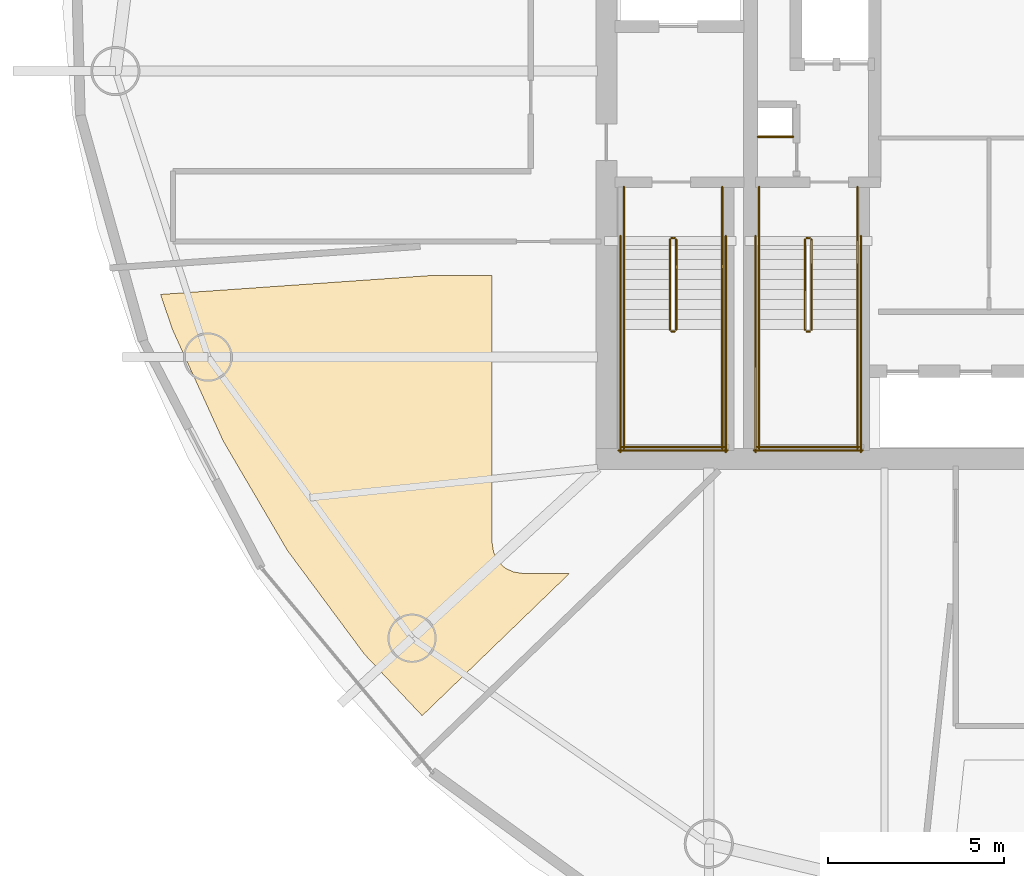
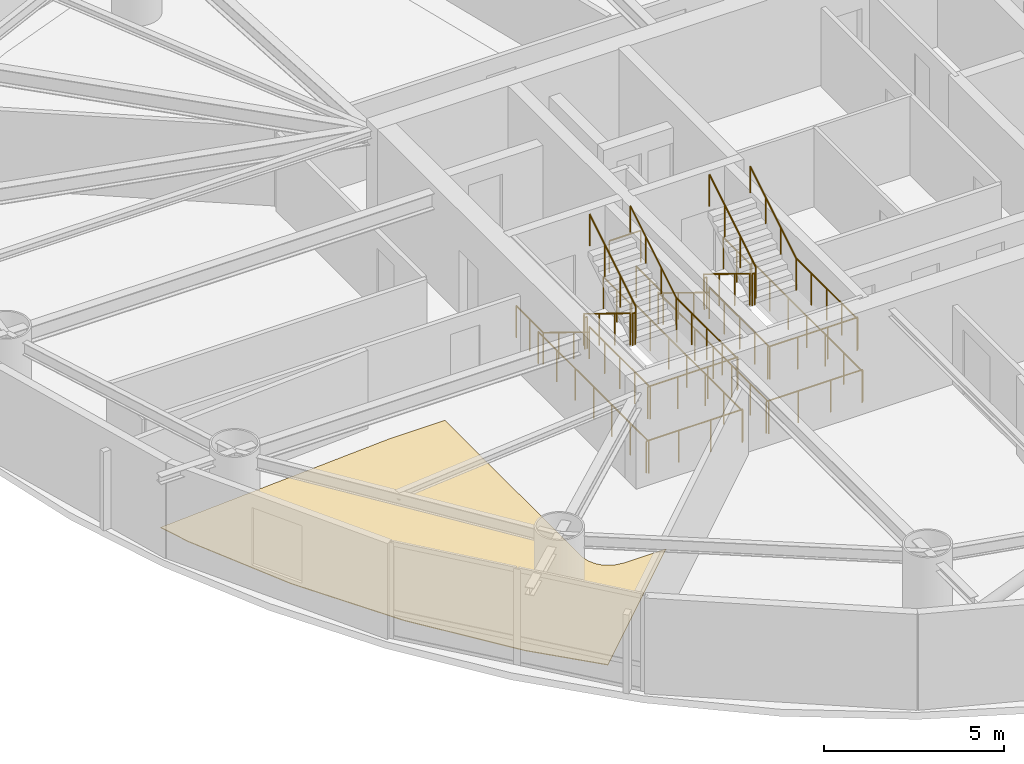
# One storey, part 18 of 20: 29 railings, 1 covering.
"""IFC4 building model written with IfcOpenShell, lengths in metres."""

import ifcopenshell
import ifcopenshell.guid

model = None  # the IFC model being written
_history = None  # IfcOwnerHistory: only IFC2X3 demands one
_inside = {}  # id of a spatial element -> (the spatial element, [elements in it])
_under = {}  # id of a project, library or spatial element -> (it, [spatial elements below it])
_declared = {}  # id of a project -> (the project, [libraries it declares])
_typed = {}  # id of a type object -> (the type object, [elements of that type])
_made_of = {}  # id of a material, layer set ... -> (it, [elements and type objects made of it])


def new_model(schema):
    """Start an empty IFC model of exactly this schema.

    Asked for "IFC4X3", IfcOpenShell would pick the latest addendum, in which some entities
    have other attributes; the version numbers below select the first issue.
    IFC2X3 requires an IfcOwnerHistory on every rooted entity: one is made here for all.
    """
    global model, _history
    if schema == "IFC4X3":
        model = ifcopenshell.file(schema_version=(4, 3, 0, 0))
    else:
        model = ifcopenshell.file(schema=schema)
    _inside.clear()
    _under.clear()
    _declared.clear()
    _typed.clear()
    _made_of.clear()
    _history = None
    if model.schema == "IFC2X3":
        org = make("IfcOrganization", Name="unknown")
        user = make(
            "IfcPersonAndOrganization",
            ThePerson=make("IfcPerson", FamilyName="unknown"),
            TheOrganization=org,
        )
        app = make(
            "IfcApplication",
            ApplicationDeveloper=org,
            Version="unknown",
            ApplicationFullName="unknown",
            ApplicationIdentifier="unknown",
        )
        _history = make(
            "IfcOwnerHistory",
            OwningUser=user,
            OwningApplication=app,
            ChangeAction="ADDED",
            CreationDate=0,
        )
    return model


def make(cls, **values):
    """One entity of the class cls with the attributes given. An attribute that is None is left unset."""
    return model.create_entity(
        cls, **{name: value for name, value in values.items() if value is not None}
    )


def rooted(cls, **values):
    """An entity with a GlobalId (a new one), such as an element, a storey or a relation."""
    return make(cls, GlobalId=ifcopenshell.guid.new(), OwnerHistory=_history, **values)


def si_unit(unit_type, name, prefix=None):
    """IfcSIUnit, for example si_unit("LENGTHUNIT", "METRE", prefix="MILLI")."""
    return make("IfcSIUnit", UnitType=unit_type, Prefix=prefix, Name=name)


def assignment(units):
    """IfcUnitAssignment: the units of a project."""
    return None if units is None else make("IfcUnitAssignment", Units=units)


def point(xyz):
    """IfcCartesianPoint."""
    return None if xyz is None else make("IfcCartesianPoint", Coordinates=xyz)


def direction(xyz):
    """IfcDirection."""
    return None if xyz is None else make("IfcDirection", DirectionRatios=xyz)


def frame(location, z_axis=None, x_axis=None):
    """IfcAxis2Placement3D, a coordinate frame: its origin and axes. An axis left out is left unset."""
    return make(
        "IfcAxis2Placement3D",
        Location=point(location),
        Axis=direction(z_axis),
        RefDirection=direction(x_axis),
    )


def frame_2d(location, x_axis=None):
    """IfcAxis2Placement2D, a coordinate frame in the plane: its origin and x axis."""
    return make(
        "IfcAxis2Placement2D", Location=point(location), RefDirection=direction(x_axis)
    )


def origin():
    """The frame at (0, 0, 0) with its axes left unset."""
    return frame((0.0, 0.0, 0.0))


def origin_2d():
    """The frame at (0, 0) in the plane with its x axis left unset."""
    return frame_2d((0.0, 0.0))


def place(relative_to, where):
    """IfcLocalPlacement: puts the frame where relative to a parent placement (None: the world)."""
    return make(
        "IfcLocalPlacement", PlacementRelTo=relative_to, RelativePlacement=where
    )


def context(
    kind, dimensions, precision=None, world=None, true_north=None, identifier=None
):
    """IfcGeometricRepresentationContext, for example the 3D "Model" context."""
    return make(
        "IfcGeometricRepresentationContext",
        ContextIdentifier=identifier,
        ContextType=kind,
        CoordinateSpaceDimension=dimensions,
        Precision=precision,
        WorldCoordinateSystem=world,
        TrueNorth=true_north,
    )


def subcontext(parent, identifier, kind, view, scale=None):
    """IfcGeometricRepresentationSubContext, for example "Body" below "Model"."""
    return make(
        "IfcGeometricRepresentationSubContext",
        ContextIdentifier=identifier,
        ContextType=kind,
        ParentContext=parent,
        TargetScale=scale,
        TargetView=view,
    )


def project(units=None, contexts=None):
    """IfcProject with its units and contexts."""
    return rooted(
        "IfcProject",
        Name="project",
        RepresentationContexts=contexts,
        UnitsInContext=assignment(units),
    )


def spatial(cls, under=None, at=None, **own):
    """A site, building, storey or space (cls), placed at a placement, below another one or the project."""
    s = rooted(cls, ObjectPlacement=at, **own)
    if under is not None:
        _under.setdefault(under.id(), (under, []))[1].append(s)
    return s


def polyline(points):
    """IfcPolyline through the points."""
    return make("IfcPolyline", Points=[point(p) for p in points])


def profile(cls, at=None, kind="AREA", **sizes):
    """A parametric profile (cls). Its sizes go by their IFC names, for example OverallWidth=200.0."""
    return make(cls, ProfileType=kind, Position=at, **sizes)


def circle(**sizes):
    """IfcCircleProfileDef."""
    return profile("IfcCircleProfileDef", **sizes)


def outline(outer, holes=None, kind="AREA"):
    """IfcArbitraryClosedProfileDef: a profile drawn as a closed curve; with holes, ...WithVoids."""
    if holes is None:
        return make("IfcArbitraryClosedProfileDef", ProfileType=kind, OuterCurve=outer)
    return make(
        "IfcArbitraryProfileDefWithVoids",
        ProfileType=kind,
        OuterCurve=outer,
        InnerCurves=holes,
    )


def extrude(swept, where, along, depth):
    """IfcExtrudedAreaSolid: the profile swept, set in the frame where, extruded along a direction by depth."""
    return make(
        "IfcExtrudedAreaSolid",
        SweptArea=swept,
        Position=where,
        ExtrudedDirection=direction(along),
        Depth=depth,
    )


def shape(context_of_items, identifier, shape_type, items):
    """IfcShapeRepresentation: the items that make up one representation, for example the "Body"."""
    return make(
        "IfcShapeRepresentation",
        ContextOfItems=context_of_items,
        RepresentationIdentifier=identifier,
        RepresentationType=shape_type,
        Items=items,
    )


def material(Name=None, Category=None):
    """IfcMaterial."""
    return make("IfcMaterial", Name=Name, Category=Category)


def layer(
    of_material, thickness, ventilated=None, Name=None, Category=None, Priority=None
):
    """IfcMaterialLayer: one layer of a wall or slab, of a material (None: an air gap)."""
    return make(
        "IfcMaterialLayer",
        Material=of_material,
        LayerThickness=thickness,
        IsVentilated=ventilated,
        Name=Name,
        Category=Category,
        Priority=Priority,
    )


def layer_set(layers, Name=None):
    """IfcMaterialLayerSet."""
    return make("IfcMaterialLayerSet", MaterialLayers=layers, LayerSetName=Name)


def made_of(thing, what):
    """Note that an element or type object is made of a material, layer set ...; save() writes the relation."""
    if what is not None:
        _made_of.setdefault(what.id(), (what, []))[1].append(thing)
    return thing


def type_object(cls, material=None, **own):
    """A type object (cls), such as IfcWallType, which elements share."""
    return made_of(rooted(cls, **own), material)


def element(
    cls,
    number,
    at=None,
    inside=None,
    cuts=None,
    type_object=None,
    material=None,
    context=None,
    identifier="Body",
    shape_type=None,
    held_by="IfcProductDefinitionShape",
    body=None,
    shapes=None,
    **own,
):
    """One element of the class cls, such as IfcWall. Its Tag is "e" and its number.

    at: its placement. inside: the storey or other place that contains it. cuts: it is an
    opening in that element (IfcRelVoidsElement). A single representation is given by context,
    identifier, shape_type and body (its items); several are given by shapes. held_by: the class
    of the entity that holds the representations. save() writes the other relations.
    """
    e = rooted(cls, Tag="e%d" % number, ObjectPlacement=at, **own)
    if body is not None:
        shapes = [shape(context, identifier, shape_type, body)]
    if shapes is not None:
        e.Representation = make(held_by, Representations=shapes)
    if inside is not None:
        _inside.setdefault(inside.id(), (inside, []))[1].append(e)
    if cuts is not None:
        rooted(
            "IfcRelVoidsElement", RelatingBuildingElement=cuts, RelatedOpeningElement=e
        )
    if type_object is not None:
        _typed.setdefault(type_object.id(), (type_object, []))[1].append(e)
    return made_of(e, material)


def aggregate(whole, parts):
    """IfcRelAggregates: a whole, such as a stair, and the parts it consists of."""
    return rooted("IfcRelAggregates", RelatingObject=whole, RelatedObjects=parts)


def save(model, path):
    """Write the relations noted so far, then the file.

    IfcRelAggregates (storeys below a building ...), IfcRelContainedInSpatialStructure (elements
    in a storey), IfcRelDefinesByType, IfcRelAssociatesMaterial and IfcRelDeclares: one each for
    every whole, place, type object, material and project.
    """
    for whole, parts in _under.values():
        aggregate(whole, parts)
    for where, things in _inside.values():
        rooted(
            "IfcRelContainedInSpatialStructure",
            RelatedElements=things,
            RelatingStructure=where,
        )
    for kind, things in _typed.values():
        rooted("IfcRelDefinesByType", RelatedObjects=things, RelatingType=kind)
    for what, things in _made_of.values():
        rooted("IfcRelAssociatesMaterial", RelatedObjects=things, RelatingMaterial=what)
    for by, libraries in _declared.values():
        rooted("IfcRelDeclares", RelatingContext=by, RelatedDefinitions=libraries)
    model.write(path)


model = new_model("IFC4")

# Units and contexts
model_context = context("Model", 3, precision=1e-05, world=origin(), true_north=direction((0.0, 1.0)))
body_context = subcontext(model_context, "Body", "Model", "MODEL_VIEW")
ifc_project = project(units=[si_unit("LENGTHUNIT", "METRE"), si_unit("AREAUNIT", "SQUARE_METRE"), si_unit("VOLUMEUNIT", "CUBIC_METRE"), si_unit("PLANEANGLEUNIT", "RADIAN"), si_unit("MASSUNIT", "GRAM", prefix="KILO")], contexts=[model_context])

# Site, building, storey
site_placement = place(None, origin())
site = spatial("IfcSite", under=ifc_project, at=site_placement, CompositionType="ELEMENT")
building_placement = place(site_placement, origin())
building = spatial("IfcBuilding", under=site, at=building_placement, Name="Bramvorn Convention Spire", CompositionType="ELEMENT")
storey_placement = place(building_placement, frame((0.0, 0.0, 144.800048828125)))
storey = spatial("IfcBuildingStorey", under=building, at=storey_placement, Name="L36", CompositionType="ELEMENT", Elevation=144.800048828125)

# Covering
ifc_material_1 = material(Name="Honed Dolomitic Limestone Terrazzo Flooring", Category="masonry")
ifc_layer = layer(ifc_material_1, 0.02490234375)
ifc_layer_set = layer_set([ifc_layer], Name="Honed Dolomitic Limestone Terrazzo Flooring - FLR-TERRAZZO-25")
covering_type = type_object("IfcCoveringType", Name="FLR-TERRAZZO-25", PredefinedType="FLOORING", material=ifc_layer_set)
covering_placement = place(storey_placement, origin())
element("IfcCovering", 1, at=covering_placement, inside=storey, type_object=covering_type, Name="L36 Managing Director Office 5 raised floor finish", PredefinedType="FLOORING", context=body_context, shape_type="SweptSolid", body=[
    extrude(outline(polyline([(20.10791015625, 13.245361328125), (21.75390625, 11.492919921875), (25.955078125, 15.550048828125), (24.60009765625, 15.550048828125), (24.353271484375, 15.586669921875), (24.127685546875, 15.693359375), (23.9990234375, 15.799072265625), (23.893310546875, 15.927734375), (23.78662109375, 16.1533203125), (23.75, 16.39990234375), (23.75, 24.030029296875), (22.012939453125, 24.030029296875), (14.304443359375, 23.490966796875), (14.63916015625, 22.497314453125), (16.090576171875, 19.31103515625), (17.91796875, 16.19580078125), (20.10791015625, 13.245361328125)])), origin(), (0.0, 0.0, 1.0), 0.02490234375),
])

# Railings
ifc_material_2 = material(Name="Painted Steel Balustrade & Guardrail", Category="steel")
railing_type_1 = type_object("IfcRailingType", Name="RL-STAIR-GUARD-1100", PredefinedType="GUARDRAIL", material=ifc_material_2)
railing_1_placement = place(storey_placement, frame((28.81005859375, 25.050048828125, 0.175048828125)))
element("IfcRailing", 2, at=railing_1_placement, inside=storey, type_object=railing_type_1, Name="L36 ST1 stair guard 1", PredefinedType="GUARDRAIL", context=body_context, shape_type="SweptSolid", body=[
    extrude(circle(Radius=0.02392578125, at=origin_2d()), frame((0.0, 0.0, 1.076171875), z_axis=(0.0, -0.852173129349, 0.523259933127), x_axis=(1.0, 0.0, 0.0)), (0.0, 0.0, 1.0), 3.009765625),
    extrude(circle(Radius=0.02099609375, at=origin_2d()), origin(), (0.0, 0.0, 1.0), 1.052001953125),
    extrude(circle(Radius=0.02099609375, at=origin_2d()), frame((0.0, -0.85498046875, 0.52490234375)), (0.0, 0.0, 1.0), 1.052001953125),
    extrude(circle(Radius=0.02099609375, at=origin_2d()), frame((0.0, -1.7099609375, 1.050048828125)), (0.0, 0.0, 1.0), 1.052001953125),
    extrude(circle(Radius=0.02099609375, at=origin_2d()), frame((0.0, -2.56494140625, 1.574951171875)), (0.0, 0.0, 1.0), 1.052001953125),
])
railing_2_placement = place(storey_placement, frame((28.860107421875, 22.43505859375, 1.75)))
element("IfcRailing", 3, at=railing_2_placement, inside=storey, type_object=railing_type_1, Name="L36 ST1 stair guard 2", PredefinedType="GUARDRAIL", context=body_context, shape_type="SweptSolid", body=[
    extrude(circle(Radius=0.02392578125, at=origin_2d()), frame((0.0, 0.0, 1.076171875), z_axis=(1.0, 0.0, 0.0), x_axis=(0.0, 1.0, 0.0)), (0.0, 0.0, 1.0), 0.079833984375),
    extrude(circle(Radius=0.02099609375, at=origin_2d()), origin(), (0.0, 0.0, 1.0), 1.052001953125),
    extrude(circle(Radius=0.02099609375, at=origin_2d()), frame((0.079833984375, 0.0, 0.0)), (0.0, 0.0, 1.0), 1.052001953125),
])
for number, where, name in (
    (4, (27.5, 22.485107421875, 1.75), "L36 ST1 stair guard 3"),
    (5, (30.300048828125, 22.485107421875, 1.75), "L36 ST1 stair guard 4"),
):
    element("IfcRailing", number, at=place(storey_placement, frame(where)), inside=storey, type_object=railing_type_1, Name=name, PredefinedType="GUARDRAIL", context=body_context, shape_type="SweptSolid", body=[
        extrude(circle(Radius=0.02392578125, at=origin_2d()), frame((0.0, 0.0, 1.076171875), z_axis=(0.0, -1.0, 0.0), x_axis=(1.0, 0.0, 0.0)), (0.0, 0.0, 1.0), 3.385009765625),
        extrude(circle(Radius=0.02099609375, at=origin_2d()), origin(), (0.0, 0.0, 1.0), 1.052001953125),
        extrude(circle(Radius=0.02099609375, at=origin_2d()), frame((0.0, -0.84619140625, 0.0)), (0.0, 0.0, 1.0), 1.052001953125),
        extrude(circle(Radius=0.02099609375, at=origin_2d()), frame((0.0, -1.6923828125, 0.0)), (0.0, 0.0, 1.0), 1.052001953125),
        extrude(circle(Radius=0.02099609375, at=origin_2d()), frame((0.0, -2.538818359375, 0.0)), (0.0, 0.0, 1.0), 1.052001953125),
        extrude(circle(Radius=0.02099609375, at=origin_2d()), frame((0.0, -3.385009765625, 0.0)), (0.0, 0.0, 1.0), 1.052001953125),
    ])
railing_3_placement = place(storey_placement, frame((27.449951171875, 19.14990234375, 1.75)))
element("IfcRailing", 6, at=railing_3_placement, inside=storey, type_object=railing_type_1, Name="L36 ST1 stair guard 5", PredefinedType="GUARDRAIL", context=body_context, shape_type="SweptSolid", body=[
    extrude(circle(Radius=0.02392578125, at=origin_2d()), frame((0.0, 0.0, 1.076171875), z_axis=(1.0, 0.0, 0.0), x_axis=(0.0, 1.0, 0.0)), (0.0, 0.0, 1.0), 2.900146484375),
    extrude(circle(Radius=0.02099609375, at=origin_2d()), origin(), (0.0, 0.0, 1.0), 1.052001953125),
    extrude(circle(Radius=0.02099609375, at=origin_2d()), frame((0.966796875, 0.0, 0.0)), (0.0, 0.0, 1.0), 1.052001953125),
    extrude(circle(Radius=0.02099609375, at=origin_2d()), frame((1.933349609375, 0.0, 0.0)), (0.0, 0.0, 1.0), 1.052001953125),
    extrude(circle(Radius=0.02099609375, at=origin_2d()), frame((2.900146484375, 0.0, 0.0)), (0.0, 0.0, 1.0), 1.052001953125),
])
railing_4_placement = place(storey_placement, frame((28.989990234375, 22.485107421875, 1.925048828125)))
element("IfcRailing", 7, at=railing_4_placement, inside=storey, type_object=railing_type_1, Name="L36 ST1 stair guard 6", PredefinedType="GUARDRAIL", context=body_context, shape_type="SweptSolid", body=[
    extrude(circle(Radius=0.02392578125, at=origin_2d()), frame((0.0, 0.0, 1.076171875), z_axis=(0.0, 0.852173129349, 0.523259933127), x_axis=(-1.0, 0.0, 0.0)), (0.0, 0.0, 1.0), 3.009765625),
    extrude(circle(Radius=0.02099609375, at=origin_2d()), origin(), (0.0, 0.0, 1.0), 1.052001953125),
    extrude(circle(Radius=0.02099609375, at=origin_2d()), frame((0.0, 0.85498046875, 0.52490234375)), (0.0, 0.0, 1.0), 1.052001953125),
    extrude(circle(Radius=0.02099609375, at=origin_2d()), frame((0.0, 1.7099609375, 1.050048828125)), (0.0, 0.0, 1.0), 1.052001953125),
    extrude(circle(Radius=0.02099609375, at=origin_2d()), frame((0.0, 2.56494140625, 1.574951171875)), (0.0, 0.0, 1.0), 1.052001953125),
])
railing_5_placement = place(storey_placement, frame((28.860107421875, 25.10009765625, 0.0)))
element("IfcRailing", 8, at=railing_5_placement, inside=storey, type_object=railing_type_1, Name="L36 ST1 stair guard 7", PredefinedType="GUARDRAIL", context=body_context, shape_type="SweptSolid", body=[
    extrude(circle(Radius=0.02392578125, at=origin_2d()), frame((0.0, 0.0, 1.076171875), z_axis=(1.0, 0.0, 0.0), x_axis=(0.0, 1.0, 0.0)), (0.0, 0.0, 1.0), 0.079833984375),
    extrude(circle(Radius=0.02099609375, at=origin_2d()), origin(), (0.0, 0.0, 1.0), 1.052001953125),
    extrude(circle(Radius=0.02099609375, at=origin_2d()), frame((0.079833984375, 0.0, 0.0)), (0.0, 0.0, 1.0), 1.052001953125),
])
for number, where, name in (
    (9, (27.5, 26.550048828125, 0.0), "L36 ST1 stair guard 8"),
    (10, (30.300048828125, 26.550048828125, 0.0), "L36 ST1 stair guard 9"),
):
    element("IfcRailing", number, at=place(storey_placement, frame(where)), inside=storey, type_object=railing_type_1, Name=name, PredefinedType="GUARDRAIL", context=body_context, shape_type="SweptSolid", body=[
        extrude(circle(Radius=0.02392578125, at=origin_2d()), frame((0.0, 0.0, 1.076171875), z_axis=(0.0, -1.0, 0.0), x_axis=(1.0, 0.0, 0.0)), (0.0, 0.0, 1.0), 1.5),
        extrude(circle(Radius=0.02099609375, at=origin_2d()), origin(), (0.0, 0.0, 1.0), 1.052001953125),
        extrude(circle(Radius=0.02099609375, at=origin_2d()), frame((0.0, -0.75, 0.0)), (0.0, 0.0, 1.0), 1.052001953125),
        extrude(circle(Radius=0.02099609375, at=origin_2d()), frame((0.0, -1.5, 0.0)), (0.0, 0.0, 1.0), 1.052001953125),
    ])
for number, where, name in (
    (11, (27.39990234375, 25.14990234375, 0.0), "L36 ST1 stair guard 10"),
    (12, (30.39990234375, 25.14990234375, 0.0), "L36 ST1 stair guard 11"),
):
    element("IfcRailing", number, at=place(storey_placement, frame(where)), inside=storey, type_object=railing_type_1, Name=name, PredefinedType="GUARDRAIL", context=body_context, shape_type="SweptSolid", body=[
        extrude(circle(Radius=0.02392578125, at=origin_2d()), frame((0.0, 0.0, 1.076171875), z_axis=(0.0, -1.0, 0.0), x_axis=(1.0, 0.0, 0.0)), (0.0, 0.0, 1.0), 6.14990234375),
        extrude(circle(Radius=0.02099609375, at=origin_2d()), origin(), (0.0, 0.0, 1.0), 1.052001953125),
        extrude(circle(Radius=0.02099609375, at=origin_2d()), frame((0.0, -1.02490234375, 0.0)), (0.0, 0.0, 1.0), 1.052001953125),
        extrude(circle(Radius=0.02099609375, at=origin_2d()), frame((0.0, -2.050048828125, 0.0)), (0.0, 0.0, 1.0), 1.052001953125),
        extrude(circle(Radius=0.02099609375, at=origin_2d()), frame((0.0, -3.074951171875, 0.0)), (0.0, 0.0, 1.0), 1.052001953125),
        extrude(circle(Radius=0.02099609375, at=origin_2d()), frame((0.0, -4.099853515625, 0.0)), (0.0, 0.0, 1.0), 1.052001953125),
        extrude(circle(Radius=0.02099609375, at=origin_2d()), frame((0.0, -5.125, 0.0)), (0.0, 0.0, 1.0), 1.052001953125),
        extrude(circle(Radius=0.02099609375, at=origin_2d()), frame((0.0, -6.14990234375, 0.0)), (0.0, 0.0, 1.0), 1.052001953125),
    ])
railing_6_placement = place(storey_placement, frame((27.35009765625, 19.050048828125, 0.0)))
element("IfcRailing", 13, at=railing_6_placement, inside=storey, type_object=railing_type_1, Name="L36 ST1 stair guard 12", PredefinedType="GUARDRAIL", context=body_context, shape_type="SweptSolid", body=[
    extrude(circle(Radius=0.02392578125, at=origin_2d()), frame((0.0, 0.0, 1.076171875), z_axis=(1.0, 0.0, 0.0), x_axis=(0.0, 1.0, 0.0)), (0.0, 0.0, 1.0), 3.099853515625),
    extrude(circle(Radius=0.02099609375, at=origin_2d()), origin(), (0.0, 0.0, 1.0), 1.052001953125),
    extrude(circle(Radius=0.02099609375, at=origin_2d()), frame((1.033203125, 0.0, 0.0)), (0.0, 0.0, 1.0), 1.052001953125),
    extrude(circle(Radius=0.02099609375, at=origin_2d()), frame((2.066650390625, 0.0, 0.0)), (0.0, 0.0, 1.0), 1.052001953125),
    extrude(circle(Radius=0.02099609375, at=origin_2d()), frame((3.099853515625, 0.0, 0.0)), (0.0, 0.0, 1.0), 1.052001953125),
])
railing_7_placement = place(storey_placement, frame((32.659912109375, 25.050048828125, 0.175048828125)))
element("IfcRailing", 14, at=railing_7_placement, inside=storey, type_object=railing_type_1, Name="L36 ST3 stair guard 1", PredefinedType="GUARDRAIL", context=body_context, shape_type="SweptSolid", body=[
    extrude(circle(Radius=0.02392578125, at=origin_2d()), frame((0.0, 0.0, 1.076171875), z_axis=(0.0, -0.852173129349, 0.523259933127), x_axis=(1.0, 0.0, 0.0)), (0.0, 0.0, 1.0), 3.009765625),
    extrude(circle(Radius=0.02099609375, at=origin_2d()), origin(), (0.0, 0.0, 1.0), 1.052001953125),
    extrude(circle(Radius=0.02099609375, at=origin_2d()), frame((0.0, -0.85498046875, 0.52490234375)), (0.0, 0.0, 1.0), 1.052001953125),
    extrude(circle(Radius=0.02099609375, at=origin_2d()), frame((0.0, -1.7099609375, 1.050048828125)), (0.0, 0.0, 1.0), 1.052001953125),
    extrude(circle(Radius=0.02099609375, at=origin_2d()), frame((0.0, -2.56494140625, 1.574951171875)), (0.0, 0.0, 1.0), 1.052001953125),
])
railing_8_placement = place(storey_placement, frame((32.7099609375, 22.43505859375, 1.75)))
element("IfcRailing", 15, at=railing_8_placement, inside=storey, type_object=railing_type_1, Name="L36 ST3 stair guard 2", PredefinedType="GUARDRAIL", context=body_context, shape_type="SweptSolid", body=[
    extrude(circle(Radius=0.02392578125, at=origin_2d()), frame((0.0, 0.0, 1.076171875), z_axis=(1.0, 0.0, 0.0), x_axis=(0.0, 1.0, 0.0)), (0.0, 0.0, 1.0), 0.080078125),
    extrude(circle(Radius=0.02099609375, at=origin_2d()), origin(), (0.0, 0.0, 1.0), 1.052001953125),
    extrude(circle(Radius=0.02099609375, at=origin_2d()), frame((0.080078125, 0.0, 0.0)), (0.0, 0.0, 1.0), 1.052001953125),
])
for number, where, name in (
    (16, (31.35009765625, 22.485107421875, 1.75), "L36 ST3 stair guard 3"),
    (17, (34.14990234375, 22.485107421875, 1.75), "L36 ST3 stair guard 4"),
):
    element("IfcRailing", number, at=place(storey_placement, frame(where)), inside=storey, type_object=railing_type_1, Name=name, PredefinedType="GUARDRAIL", context=body_context, shape_type="SweptSolid", body=[
        extrude(circle(Radius=0.02392578125, at=origin_2d()), frame((0.0, 0.0, 1.076171875), z_axis=(0.0, -1.0, 0.0), x_axis=(1.0, 0.0, 0.0)), (0.0, 0.0, 1.0), 3.385009765625),
        extrude(circle(Radius=0.02099609375, at=origin_2d()), origin(), (0.0, 0.0, 1.0), 1.052001953125),
        extrude(circle(Radius=0.02099609375, at=origin_2d()), frame((0.0, -0.84619140625, 0.0)), (0.0, 0.0, 1.0), 1.052001953125),
        extrude(circle(Radius=0.02099609375, at=origin_2d()), frame((0.0, -1.6923828125, 0.0)), (0.0, 0.0, 1.0), 1.052001953125),
        extrude(circle(Radius=0.02099609375, at=origin_2d()), frame((0.0, -2.538818359375, 0.0)), (0.0, 0.0, 1.0), 1.052001953125),
        extrude(circle(Radius=0.02099609375, at=origin_2d()), frame((0.0, -3.385009765625, 0.0)), (0.0, 0.0, 1.0), 1.052001953125),
    ])
railing_9_placement = place(storey_placement, frame((31.300048828125, 19.14990234375, 1.75)))
element("IfcRailing", 18, at=railing_9_placement, inside=storey, type_object=railing_type_1, Name="L36 ST3 stair guard 5", PredefinedType="GUARDRAIL", context=body_context, shape_type="SweptSolid", body=[
    extrude(circle(Radius=0.02392578125, at=origin_2d()), frame((0.0, 0.0, 1.076171875), z_axis=(1.0, 0.0, 0.0), x_axis=(0.0, 1.0, 0.0)), (0.0, 0.0, 1.0), 2.89990234375),
    extrude(circle(Radius=0.02099609375, at=origin_2d()), origin(), (0.0, 0.0, 1.0), 1.052001953125),
    extrude(circle(Radius=0.02099609375, at=origin_2d()), frame((0.966552734375, 0.0, 0.0)), (0.0, 0.0, 1.0), 1.052001953125),
    extrude(circle(Radius=0.02099609375, at=origin_2d()), frame((1.933349609375, 0.0, 0.0)), (0.0, 0.0, 1.0), 1.052001953125),
    extrude(circle(Radius=0.02099609375, at=origin_2d()), frame((2.89990234375, 0.0, 0.0)), (0.0, 0.0, 1.0), 1.052001953125),
])
railing_10_placement = place(storey_placement, frame((32.840087890625, 22.485107421875, 1.925048828125)))
element("IfcRailing", 19, at=railing_10_placement, inside=storey, type_object=railing_type_1, Name="L36 ST3 stair guard 6", PredefinedType="GUARDRAIL", context=body_context, shape_type="SweptSolid", body=[
    extrude(circle(Radius=0.02392578125, at=origin_2d()), frame((0.0, 0.0, 1.076171875), z_axis=(0.0, 0.852173129349, 0.523259933127), x_axis=(-1.0, 0.0, 0.0)), (0.0, 0.0, 1.0), 3.009765625),
    extrude(circle(Radius=0.02099609375, at=origin_2d()), origin(), (0.0, 0.0, 1.0), 1.052001953125),
    extrude(circle(Radius=0.02099609375, at=origin_2d()), frame((0.0, 0.85498046875, 0.52490234375)), (0.0, 0.0, 1.0), 1.052001953125),
    extrude(circle(Radius=0.02099609375, at=origin_2d()), frame((0.0, 1.7099609375, 1.050048828125)), (0.0, 0.0, 1.0), 1.052001953125),
    extrude(circle(Radius=0.02099609375, at=origin_2d()), frame((0.0, 2.56494140625, 1.574951171875)), (0.0, 0.0, 1.0), 1.052001953125),
])
railing_11_placement = place(storey_placement, frame((32.7099609375, 25.10009765625, 0.0)))
element("IfcRailing", 20, at=railing_11_placement, inside=storey, type_object=railing_type_1, Name="L36 ST3 stair guard 7", PredefinedType="GUARDRAIL", context=body_context, shape_type="SweptSolid", body=[
    extrude(circle(Radius=0.02392578125, at=origin_2d()), frame((0.0, 0.0, 1.076171875), z_axis=(1.0, 0.0, 0.0), x_axis=(0.0, 1.0, 0.0)), (0.0, 0.0, 1.0), 0.080078125),
    extrude(circle(Radius=0.02099609375, at=origin_2d()), origin(), (0.0, 0.0, 1.0), 1.052001953125),
    extrude(circle(Radius=0.02099609375, at=origin_2d()), frame((0.080078125, 0.0, 0.0)), (0.0, 0.0, 1.0), 1.052001953125),
])
for number, where, name in (
    (21, (31.35009765625, 26.550048828125, 0.0), "L36 ST3 stair guard 8"),
    (22, (34.14990234375, 26.550048828125, 0.0), "L36 ST3 stair guard 9"),
):
    element("IfcRailing", number, at=place(storey_placement, frame(where)), inside=storey, type_object=railing_type_1, Name=name, PredefinedType="GUARDRAIL", context=body_context, shape_type="SweptSolid", body=[
        extrude(circle(Radius=0.02392578125, at=origin_2d()), frame((0.0, 0.0, 1.076171875), z_axis=(0.0, -1.0, 0.0), x_axis=(1.0, 0.0, 0.0)), (0.0, 0.0, 1.0), 1.5),
        extrude(circle(Radius=0.02099609375, at=origin_2d()), origin(), (0.0, 0.0, 1.0), 1.052001953125),
        extrude(circle(Radius=0.02099609375, at=origin_2d()), frame((0.0, -0.75, 0.0)), (0.0, 0.0, 1.0), 1.052001953125),
        extrude(circle(Radius=0.02099609375, at=origin_2d()), frame((0.0, -1.5, 0.0)), (0.0, 0.0, 1.0), 1.052001953125),
    ])
for number, where, name in (
    (23, (31.25, 25.14990234375, 0.0), "L36 ST3 stair guard 10"),
    (24, (34.25, 25.14990234375, 0.0), "L36 ST3 stair guard 11"),
):
    element("IfcRailing", number, at=place(storey_placement, frame(where)), inside=storey, type_object=railing_type_1, Name=name, PredefinedType="GUARDRAIL", context=body_context, shape_type="SweptSolid", body=[
        extrude(circle(Radius=0.02392578125, at=origin_2d()), frame((0.0, 0.0, 1.076171875), z_axis=(0.0, -1.0, 0.0), x_axis=(1.0, 0.0, 0.0)), (0.0, 0.0, 1.0), 6.14990234375),
        extrude(circle(Radius=0.02099609375, at=origin_2d()), origin(), (0.0, 0.0, 1.0), 1.052001953125),
        extrude(circle(Radius=0.02099609375, at=origin_2d()), frame((0.0, -1.02490234375, 0.0)), (0.0, 0.0, 1.0), 1.052001953125),
        extrude(circle(Radius=0.02099609375, at=origin_2d()), frame((0.0, -2.050048828125, 0.0)), (0.0, 0.0, 1.0), 1.052001953125),
        extrude(circle(Radius=0.02099609375, at=origin_2d()), frame((0.0, -3.074951171875, 0.0)), (0.0, 0.0, 1.0), 1.052001953125),
        extrude(circle(Radius=0.02099609375, at=origin_2d()), frame((0.0, -4.099853515625, 0.0)), (0.0, 0.0, 1.0), 1.052001953125),
        extrude(circle(Radius=0.02099609375, at=origin_2d()), frame((0.0, -5.125, 0.0)), (0.0, 0.0, 1.0), 1.052001953125),
        extrude(circle(Radius=0.02099609375, at=origin_2d()), frame((0.0, -6.14990234375, 0.0)), (0.0, 0.0, 1.0), 1.052001953125),
    ])
railing_12_placement = place(storey_placement, frame((31.199951171875, 19.050048828125, 0.0)))
element("IfcRailing", 25, at=railing_12_placement, inside=storey, type_object=railing_type_1, Name="L36 ST3 stair guard 12", PredefinedType="GUARDRAIL", context=body_context, shape_type="SweptSolid", body=[
    extrude(circle(Radius=0.02392578125, at=origin_2d()), frame((0.0, 0.0, 1.076171875), z_axis=(1.0, 0.0, 0.0), x_axis=(0.0, 1.0, 0.0)), (0.0, 0.0, 1.0), 3.10009765625),
    extrude(circle(Radius=0.02099609375, at=origin_2d()), origin(), (0.0, 0.0, 1.0), 1.052001953125),
    extrude(circle(Radius=0.02099609375, at=origin_2d()), frame((1.033447265625, 0.0, 0.0)), (0.0, 0.0, 1.0), 1.052001953125),
    extrude(circle(Radius=0.02099609375, at=origin_2d()), frame((2.066650390625, 0.0, 0.0)), (0.0, 0.0, 1.0), 1.052001953125),
    extrude(circle(Radius=0.02099609375, at=origin_2d()), frame((3.10009765625, 0.0, 0.0)), (0.0, 0.0, 1.0), 1.052001953125),
])
railing_13_placement = place(storey_placement, frame((31.320068359375, 27.97998046875, 0.0)))
element("IfcRailing", 26, at=railing_13_placement, inside=storey, type_object=railing_type_1, Name="L36 Telecom riser shaft opening safety guardrail", PredefinedType="GUARDRAIL", context=body_context, shape_type="SweptSolid", body=[
    extrude(circle(Radius=0.02392578125, at=origin_2d()), frame((0.0, 0.0, 1.076171875), z_axis=(1.0, 0.0, 0.0), x_axis=(0.0, 1.0, 0.0)), (0.0, 0.0, 1.0), 1.0),
    extrude(circle(Radius=0.02099609375, at=origin_2d()), origin(), (0.0, 0.0, 1.0), 1.052001953125),
    extrude(circle(Radius=0.02099609375, at=origin_2d()), frame((1.0, 0.0, 0.0)), (0.0, 0.0, 1.0), 1.052001953125),
])
ifc_material_3 = material(Name="Brushed Bronze Tubular Handrail", Category="aluminium")
railing_type_2 = type_object("IfcRailingType", Name="RL-STAIR-HR-920", PredefinedType="HANDRAIL", material=ifc_material_3)
railing_14_placement = place(storey_placement, frame((27.5, 25.050048828125, 0.175048828125)))
element("IfcRailing", 27, at=railing_14_placement, inside=storey, type_object=railing_type_2, Name="L36 ST1 stair handrail 1", PredefinedType="HANDRAIL", context=body_context, shape_type="SweptSolid", body=[
    extrude(circle(Radius=0.02392578125, at=origin_2d()), frame((0.0, 0.0, 0.89599609375), z_axis=(0.0, -0.852173129349, 0.523259933127), x_axis=(1.0, 0.0, 0.0)), (0.0, 0.0, 1.0), 3.009765625),
    extrude(circle(Radius=0.02099609375, at=origin_2d()), origin(), (0.0, 0.0, 1.0), 0.871826171875),
    extrude(circle(Radius=0.02099609375, at=origin_2d()), frame((0.0, -0.85498046875, 0.52490234375)), (0.0, 0.0, 1.0), 0.871826171875),
    extrude(circle(Radius=0.02099609375, at=origin_2d()), frame((0.0, -1.7099609375, 1.050048828125)), (0.0, 0.0, 1.0), 0.871826171875),
    extrude(circle(Radius=0.02099609375, at=origin_2d()), frame((0.0, -2.56494140625, 1.574951171875)), (0.0, 0.0, 1.0), 0.871826171875),
])
railing_15_placement = place(storey_placement, frame((30.300048828125, 22.485107421875, 1.925048828125)))
element("IfcRailing", 28, at=railing_15_placement, inside=storey, type_object=railing_type_2, Name="L36 ST1 stair handrail 2", PredefinedType="HANDRAIL", context=body_context, shape_type="SweptSolid", body=[
    extrude(circle(Radius=0.02392578125, at=origin_2d()), frame((0.0, 0.0, 0.89599609375), z_axis=(0.0, 0.852173129349, 0.523259933127), x_axis=(-1.0, 0.0, 0.0)), (0.0, 0.0, 1.0), 3.009765625),
    extrude(circle(Radius=0.02099609375, at=origin_2d()), origin(), (0.0, 0.0, 1.0), 0.871826171875),
    extrude(circle(Radius=0.02099609375, at=origin_2d()), frame((0.0, 0.85498046875, 0.52490234375)), (0.0, 0.0, 1.0), 0.871826171875),
    extrude(circle(Radius=0.02099609375, at=origin_2d()), frame((0.0, 1.7099609375, 1.050048828125)), (0.0, 0.0, 1.0), 0.871826171875),
    extrude(circle(Radius=0.02099609375, at=origin_2d()), frame((0.0, 2.56494140625, 1.574951171875)), (0.0, 0.0, 1.0), 0.871826171875),
])
railing_16_placement = place(storey_placement, frame((31.35009765625, 25.050048828125, 0.175048828125)))
element("IfcRailing", 29, at=railing_16_placement, inside=storey, type_object=railing_type_2, Name="L36 ST3 stair handrail 1", PredefinedType="HANDRAIL", context=body_context, shape_type="SweptSolid", body=[
    extrude(circle(Radius=0.02392578125, at=origin_2d()), frame((0.0, 0.0, 0.89599609375), z_axis=(0.0, -0.852173129349, 0.523259933127), x_axis=(1.0, 0.0, 0.0)), (0.0, 0.0, 1.0), 3.009765625),
    extrude(circle(Radius=0.02099609375, at=origin_2d()), origin(), (0.0, 0.0, 1.0), 0.871826171875),
    extrude(circle(Radius=0.02099609375, at=origin_2d()), frame((0.0, -0.85498046875, 0.52490234375)), (0.0, 0.0, 1.0), 0.871826171875),
    extrude(circle(Radius=0.02099609375, at=origin_2d()), frame((0.0, -1.7099609375, 1.050048828125)), (0.0, 0.0, 1.0), 0.871826171875),
    extrude(circle(Radius=0.02099609375, at=origin_2d()), frame((0.0, -2.56494140625, 1.574951171875)), (0.0, 0.0, 1.0), 0.871826171875),
])
railing_17_placement = place(storey_placement, frame((34.14990234375, 22.485107421875, 1.925048828125)))
element("IfcRailing", 30, at=railing_17_placement, inside=storey, type_object=railing_type_2, Name="L36 ST3 stair handrail 2", PredefinedType="HANDRAIL", context=body_context, shape_type="SweptSolid", body=[
    extrude(circle(Radius=0.02392578125, at=origin_2d()), frame((0.0, 0.0, 0.89599609375), z_axis=(0.0, 0.852173129349, 0.523259933127), x_axis=(-1.0, 0.0, 0.0)), (0.0, 0.0, 1.0), 3.009765625),
    extrude(circle(Radius=0.02099609375, at=origin_2d()), origin(), (0.0, 0.0, 1.0), 0.871826171875),
    extrude(circle(Radius=0.02099609375, at=origin_2d()), frame((0.0, 0.85498046875, 0.52490234375)), (0.0, 0.0, 1.0), 0.871826171875),
    extrude(circle(Radius=0.02099609375, at=origin_2d()), frame((0.0, 1.7099609375, 1.050048828125)), (0.0, 0.0, 1.0), 0.871826171875),
    extrude(circle(Radius=0.02099609375, at=origin_2d()), frame((0.0, 2.56494140625, 1.574951171875)), (0.0, 0.0, 1.0), 0.871826171875),
])

save(model, "model.ifc")
